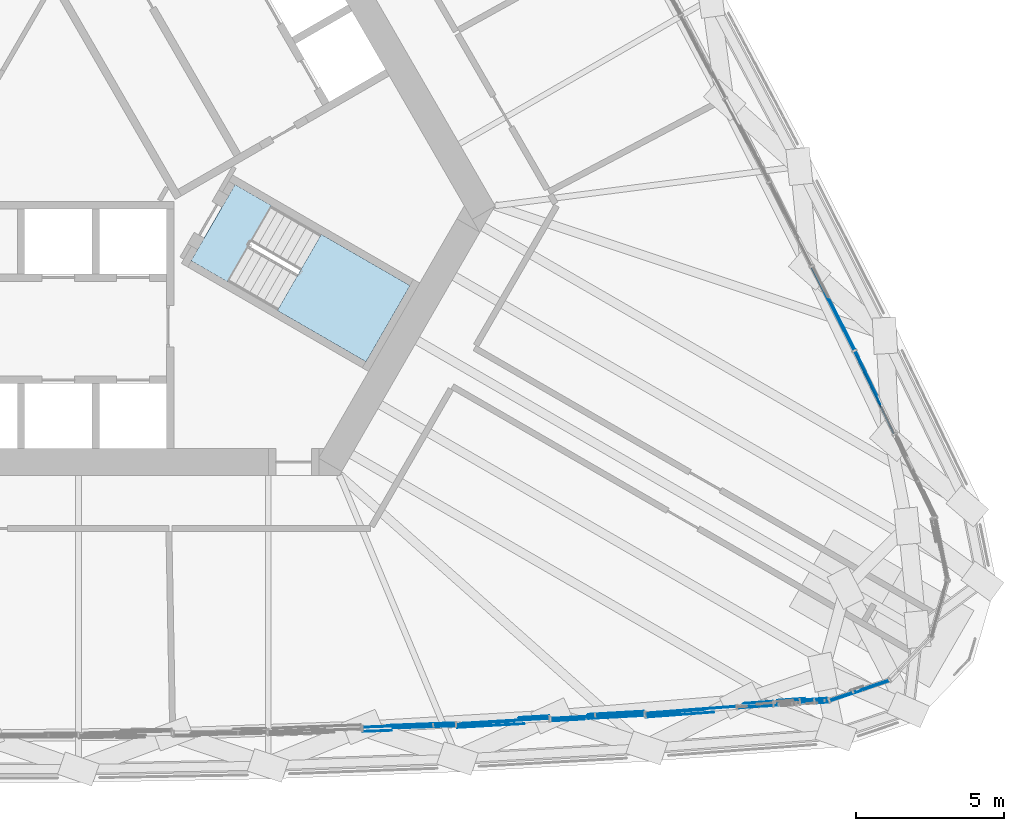
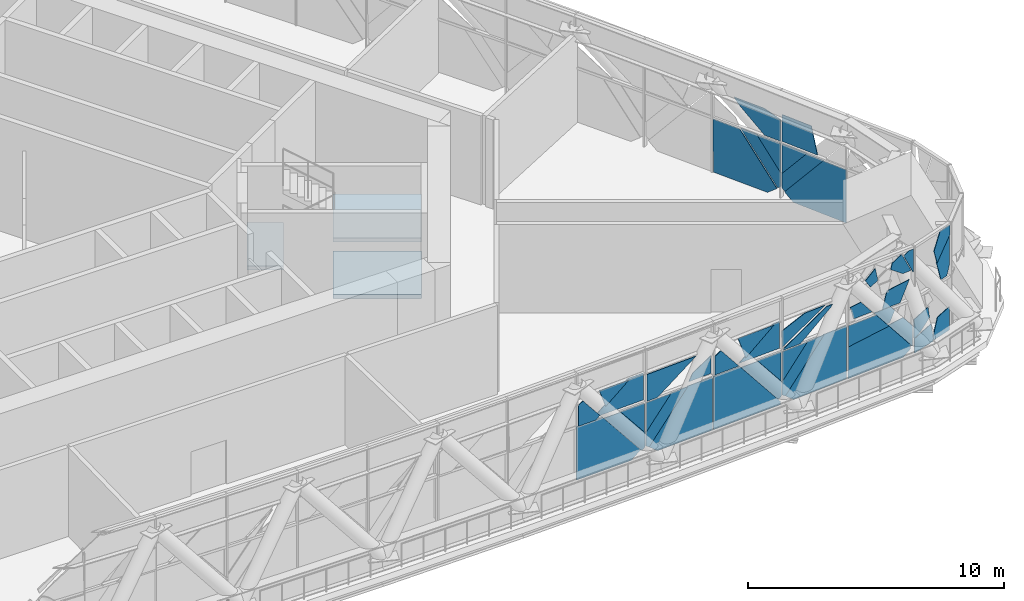
# One storey, part 15 of 43: 44 plates, 3 slabs, 4 elements without a shape of their own.
"""IFC4 building model written with IfcOpenShell, lengths in metres."""

from ifc_helpers import new_model, si_unit, direction, frame, origin, place, context, subcontext, project, spatial, polyline, outline, extrude, material, layer, layer_set, type_object, element, aggregate, save


model = new_model("IFC4")

# Units and contexts
model_context = context("Model", 3, precision=1e-05, world=origin(), true_north=direction((0.0, 1.0)))
body_context = subcontext(model_context, "Body", "Model", "MODEL_VIEW")
ifc_project = project(units=[si_unit("LENGTHUNIT", "METRE"), si_unit("AREAUNIT", "SQUARE_METRE"), si_unit("VOLUMEUNIT", "CUBIC_METRE"), si_unit("PLANEANGLEUNIT", "RADIAN"), si_unit("MASSUNIT", "GRAM", prefix="KILO")], contexts=[model_context])

# Site, building, storey
site_placement = place(None, origin())
site = spatial("IfcSite", under=ifc_project, at=site_placement, CompositionType="ELEMENT")
building_placement = place(site_placement, origin())
building = spatial("IfcBuilding", under=site, at=building_placement, Name="Mestral Congress Tower", CompositionType="ELEMENT")
storey_placement = place(building_placement, frame((0.0, 0.0, 78.300048828125)))
storey = spatial("IfcBuildingStorey", under=building, at=storey_placement, Name="L18", CompositionType="ELEMENT", Elevation=78.300048828125)

# Stair, slabs
ifc_material_1 = material(Name="Concrete C60/75", Category="concrete")
stair_type = type_object("IfcStairType", Name="Exit stair 1400", PredefinedType="HALF_TURN_STAIR", material=ifc_material_1)
placement = place(storey_placement, origin())
stair = element("IfcStair", 1, at=placement, inside=storey, type_object=stair_type, Name="L18 ST1", PredefinedType="HALF_TURN_STAIR")
ifc_layer_1 = layer(ifc_material_1, 0.199951171875)
ifc_layer_set_1 = layer_set([ifc_layer_1], Name="Concrete C60/75")
slab_type = type_object("IfcSlabType", Name="Exit stair landing 200", PredefinedType="LANDING", material=ifc_layer_set_1)
slab_1_placement = place(storey_placement, frame((0.0, 0.0, 1.14990234375)))
slab_1 = element("IfcSlab", 2, at=slab_1_placement, type_object=slab_type, Name="ST1 landing 1", PredefinedType="LANDING", context=body_context, shape_type="SweptSolid", body=[
    extrude(outline(polyline([(9.90966796875, -7.43603515625), (11.39453125, -4.864013671875), (14.39111328125, -6.593994140625), (12.906005859375, -9.166015625), (9.90966796875, -7.43603515625)])), origin(), (0.0, 0.0, 1.0), 0.199951171875),
])
slab_2_placement = place(storey_placement, frame((0.0, 0.0, 2.5)))
slab_2 = element("IfcSlab", 3, at=slab_2_placement, type_object=slab_type, Name="ST1 landing 2", PredefinedType="LANDING", context=body_context, shape_type="SweptSolid", body=[
    extrude(outline(polyline([(6.999755859375, -5.756103515625), (8.48486328125, -3.18408203125), (9.714599609375, -3.89404296875), (8.2294921875, -6.466064453125), (6.999755859375, -5.756103515625)])), origin(), (0.0, 0.0, 1.0), 0.199951171875),
])
slab_3_placement = place(storey_placement, frame((0.0, 0.0, 3.849853515625)))
slab_3 = element("IfcSlab", 4, at=slab_3_placement, type_object=slab_type, Name="ST1 landing 3", PredefinedType="LANDING", context=body_context, shape_type="SweptSolid", body=[
    extrude(outline(polyline([(9.90966796875, -7.43603515625), (11.39453125, -4.864013671875), (14.39111328125, -6.593994140625), (12.906005859375, -9.166015625), (9.90966796875, -7.43603515625)])), origin(), (0.0, 0.0, 1.0), 0.2001953125),
])
aggregate(stair, [slab_1, slab_2, slab_3])

# Curtain wall, plates
ifc_material_2 = material(Name="Clear low-emissivity double glazing", Category="glass")
curtain_wall_type = type_object("IfcCurtainWallType", Name="Facade refuge band screen", PredefinedType="USERDEFINED", material=ifc_material_2)
curtain_wall_1 = element("IfcCurtainWall", 5, at=placement, inside=storey, type_object=curtain_wall_type, Name="Facade refuge band screen face 1", ObjectType="CURTAIN WALL", PredefinedType="USERDEFINED")
ifc_material_3 = material(Name="Anodised aluminium", Category="aluminium")
ifc_layer_2 = layer(ifc_material_3, 0.028076171875)
ifc_layer_set_2 = layer_set([ifc_layer_2], Name="Anodised aluminium")
plate_type_1 = type_object("IfcPlateType", Name="Facade refuge band screen brace cover panel", PredefinedType="CURTAIN_PANEL", material=ifc_layer_set_2)
plate_1_placement = place(storey_placement, frame((15.91357421875, -21.474853515625, 0.4775390625), z_axis=(0.036960246164, -0.999314709663, 0.002012772818), x_axis=(-0.780280972633, -0.030117402348, -0.62470356636)))
plate_1 = element("IfcPlate", 6, at=plate_1_placement, type_object=plate_type_1, Name="Facade refuge band screen brace cover panel", PredefinedType="CURTAIN_PANEL", context=body_context, shape_type="SweptSolid", body=[
    extrude(outline(polyline([(0.0, 0.0), (0.2008766974116323, -1.3877787807814457e-17), (0.19961864134186658, -2.801019910232718), (-0.41808979622275666, -2.3068399891198217), (-0.417326577630618, -0.5215581560071311), (0.0, 0.0)])), origin(), (0.0, 0.0, -1.0), 0.028076171875),
])
plate_2_placement = place(storey_placement, frame((15.909912109375, -21.37255859375, 2.659912109375), z_axis=(0.036976212247, -0.999314012019, 0.002065214555), x_axis=(-0.999316143122, -0.036976291003, 4.7271e-08)))
plate_2 = element("IfcPlate", 7, at=plate_2_placement, type_object=plate_type_1, Name="Facade refuge band screen brace cover panel", PredefinedType="CURTAIN_PANEL", context=body_context, shape_type="SweptSolid", body=[
    extrude(outline(polyline([(0.0, 0.0), (2.3255629933614888, 5.421010862427522e-20), (0.738200253264267, -1.2780788625564228), (0.00014473252133818232, -1.2780790073779977), (0.0, 0.0)])), origin(), (0.0, 0.0, -1.0), 0.028076171875),
])
plate_3_placement = place(storey_placement, frame((15.175537109375, -21.4931640625, 3.93798828125), z_axis=(0.037018165238, -0.999312489466, 0.00205032683), x_axis=(-0.778379053506, -0.030120574372, -0.627071606807)))
plate_3 = element("IfcPlate", 8, at=plate_3_placement, type_object=plate_type_1, Name="Facade refuge band screen brace cover panel", PredefinedType="CURTAIN_PANEL", context=body_context, shape_type="SweptSolid", body=[
    extrude(outline(polyline([(0.0, 0.0), (1.3860309023171307, -1.1102230246251565e-16), (1.0685701818610376, -0.8602122722401847), (0.0, 0.0)])), origin(), (0.0, 0.0, -1.0), 0.028076171875),
])
plate_4_placement = place(storey_placement, frame((13.00537109375, -21.65185546875, 3.784912109375), z_axis=(0.036867162493, -0.999318149304, 0.002012163139), x_axis=(0.624004024649, 0.021448127798, -0.781126721497)))
plate_4 = element("IfcPlate", 9, at=plate_4_placement, type_object=plate_type_1, Name="Facade refuge band screen brace cover panel", PredefinedType="CURTAIN_PANEL", context=body_context, shape_type="SweptSolid", body=[
    extrude(outline(polyline([(0.0, 0.0), (1.2445709720373925, 1.1102230246251565e-16), (1.2454232075527665, -0.24371212507557088), (0.7435702015260245, -0.8715634834324933), (-0.03575468980943246, -0.24884307243158418), (0.0, 0.0)])), origin(), (0.0, 0.0, -1.0), 0.028076171875),
])
plate_5_placement = place(storey_placement, frame((17.9326171875, -21.31298828125, 2.5400390625), z_axis=(0.055485849073, -0.99845745054, 0.002009978584), x_axis=(-0.63597750086, -0.036894004547, -0.770825175269)))
plate_5 = element("IfcPlate", 10, at=plate_5_placement, type_object=plate_type_1, Name="Facade refuge band screen brace cover panel", PredefinedType="CURTAIN_PANEL", context=body_context, shape_type="SweptSolid", body=[
    extrude(outline(polyline([(0.0, 0.0), (2.8461026948969055, 0.0), (2.8460682230446146, -0.1954108849489682), (2.3347116626863103, -0.6179303966156733), (0.5107629233761255, -0.6180252753647626), (0.0, 0.0)])), origin(), (0.0, 0.0, -1.0), 0.028076171875),
])
plate_6_placement = place(storey_placement, frame((19.090087890625, -21.134521484375, 2.659912109375), z_axis=(0.055178037778, -0.998474425689, 0.002050705371), x_axis=(-0.998476525176, -0.055178153934, -6.4959e-08)))
plate_6 = element("IfcPlate", 11, at=plate_6_placement, type_object=plate_type_1, Name="Facade refuge band screen brace cover panel", PredefinedType="CURTAIN_PANEL", context=body_context, shape_type="SweptSolid", body=[
    extrude(outline(polyline([(0.0, 0.0), (1.039182641155857, 1.3552527156068805e-20), (0.8623585980972646, -0.3459480490669953), (-9.4353697150503e-05, -0.8481462471358958), (0.0, 0.0)])), origin(), (0.0, 0.0, -1.0), 0.028076171875),
])
plate_7_placement = place(storey_placement, frame((15.977783203125, -21.527587890625, 2.659912109375), z_axis=(0.055465017018, -0.99845862641, 0.002000808567), x_axis=(5.39087e-06, 0.002004192763, 0.999997991589)))
plate_7 = element("IfcPlate", 12, at=plate_7_placement, type_object=plate_type_1, Name="Facade refuge band screen brace cover panel", PredefinedType="CURTAIN_PANEL", context=body_context, shape_type="SweptSolid", body=[
    extrude(outline(polyline([(0.0, 0.0), (1.278078987326544, 0.0), (1.2783452450081314, -2.2867163336117855), (5.590463403739701e-05, -0.47754865382735384), (0.0, 0.0)])), origin(), (0.0, 0.0, -1.0), 0.028076171875),
])
plate_8_placement = place(storey_placement, frame((22.283935546875, -21.125732421875, 0.471923828125), z_axis=(0.05540046725, -0.998462318053, 0.001946190369), x_axis=(-0.782484031647, -0.044627322793, -0.621069353839)))
plate_8 = element("IfcPlate", 13, at=plate_8_placement, type_object=plate_type_1, Name="Facade refuge band screen brace cover panel", PredefinedType="CURTAIN_PANEL", context=body_context, shape_type="SweptSolid", body=[
    extrude(outline(polyline([(0.0, 0.0), (0.19812082471952275, 1.3877787807814457e-17), (0.2003958371998158, -2.797532660802916), (-0.41917427146558595, -2.306566636547216), (-0.4204911297498403, -0.5308970349211115), (0.0, 0.0)])), origin(), (0.0, 0.0, -1.0), 0.028076171875),
])
plate_9_placement = place(storey_placement, frame((22.27587890625, -20.9814453125, 2.659912109375), z_axis=(0.055427275481, -0.998460781931, 0.001970806394), x_axis=(-0.998462720979, -0.055427383261, -7.0122e-08)))
plate_9 = element("IfcPlate", 14, at=plate_9_placement, type_object=plate_type_1, Name="Facade refuge band screen brace cover panel", PredefinedType="CURTAIN_PANEL", context=body_context, shape_type="SweptSolid", body=[
    extrude(outline(polyline([(0.0, 0.0), (1.9016086939996606, -2.710505431213761e-20), (0.3184651015887202, -1.278078676287465), (0.00010835493113250878, -1.2780785206179928), (0.0, 0.0)])), origin(), (0.0, 0.0, -1.0), 0.028076171875),
])
plate_10_placement = place(storey_placement, frame((21.962646484375, -21.08642578125, 3.93798828125), z_axis=(0.05548599819, -0.998457464808, 0.001998743055), x_axis=(-0.776818859582, -0.044426619954, -0.628155024526)))
plate_10 = element("IfcPlate", 15, at=plate_10_placement, type_object=plate_type_1, Name="Facade refuge band screen brace cover panel", PredefinedType="CURTAIN_PANEL", context=body_context, shape_type="SweptSolid", body=[
    extrude(outline(polyline([(0.0, 0.0), (1.6980687075295804, 0.0), (1.3078183128879426, -1.055812621922065), (0.0, 0.0)])), origin(), (0.0, 0.0, -1.0), 0.028076171875),
])
plate_11_placement = place(storey_placement, frame((19.450439453125, -21.28857421875, 3.712646484375), z_axis=(0.055365087756, -0.998464022266, 0.002074439275), x_axis=(0.620744364742, 0.032792971386, -0.783326914301)))
plate_11 = element("IfcPlate", 16, at=plate_11_placement, type_object=plate_type_1, Name="Facade refuge band screen brace cover panel", PredefinedType="CURTAIN_PANEL", context=body_context, shape_type="SweptSolid", body=[
    extrude(outline(polyline([(0.0, 0.0), (1.343926923000805, 0.0), (0.6435399519539668, -0.8826037201361827), (-0.04811803272752152, -0.333602751570633), (0.0, 0.0)])), origin(), (0.0, 0.0, -1.0), 0.028076171875),
])
plate_12_placement = place(storey_placement, frame((24.312744140625, -20.921630859375, 2.5400390625), z_axis=(0.073982402212, -0.997257622723, 0.001959102768), x_axis=(-0.637882355783, -0.048831719302, -0.768584129013)))
plate_12 = element("IfcPlate", 17, at=plate_12_placement, type_object=plate_type_1, Name="Facade refuge band screen brace cover panel", PredefinedType="CURTAIN_PANEL", context=body_context, shape_type="SweptSolid", body=[
    extrude(outline(polyline([(0.0, 0.0), (2.861707162087099, 2.220446049250313e-16), (2.8615387489769466, -0.19060788045722998), (2.346575897334364, -0.6191060762317351), (0.5154262139626331, -0.6192280133480507), (0.0, 0.0)])), origin(), (0.0, 0.0, -1.0), 0.028076171875),
])
plate_13_placement = place(storey_placement, frame((24.373779296875, -20.914306640625, 3.93798828125), z_axis=(0.073993388692, -0.997257118429, 0.001793926566), x_axis=(-0.85698524735, -0.064505386135, -0.511287923762)))
plate_13 = element("IfcPlate", 18, at=plate_13_placement, type_object=plate_type_1, Name="Facade refuge band screen brace cover panel", PredefinedType="CURTAIN_PANEL", context=body_context, shape_type="SweptSolid", body=[
    extrude(outline(polyline([(0.0, 0.0), (2.3722264250575473, 0.0), (1.9714399827744267, -0.6734571928941269), (0.8188546482612772, -0.4871616091561835), (0.0, 0.0)])), origin(), (0.0, 0.0, -1.0), 0.028076171875),
])
plate_14_placement = place(storey_placement, frame((24.551513671875, -21.013916015625, 3.81201171875), z_axis=(0.073938370527, -0.997261175509, 0.001806982398), x_axis=(-0.773505842974, -0.058492319994, -0.631084272808)))
plate_14 = element("IfcPlate", 19, at=plate_14_placement, type_object=plate_type_1, Name="Facade refuge band screen brace cover panel", PredefinedType="CURTAIN_PANEL", context=body_context, shape_type="SweptSolid", body=[
    extrude(outline(polyline([(0.0, 0.0), (1.8255873102989328, 0.0), (2.4401144256953615, -0.49995136952885777), (2.399165696448077, -0.5506702688805414), (0.05227006500361091, -0.2049260181817165), (-0.16270111886517213, -0.030035245126646404), (0.0, 0.0)])), origin(), (0.0, 0.0, -1.0), 0.028076171875),
])
plate_15_placement = place(storey_placement, frame((28.48828125, -20.586669921875, 0.343994140625), z_axis=(0.073721481104, -0.997277037511, 0.001911459355), x_axis=(-0.617214226154, -0.044120524951, 0.785557113335)))
plate_15 = element("IfcPlate", 20, at=plate_15_placement, type_object=plate_type_1, Name="Facade refuge band screen brace cover panel", PredefinedType="CURTAIN_PANEL", context=body_context, shape_type="SweptSolid", body=[
    extrude(outline(polyline([(0.0, 0.0), (1.8258712602547922, 0.0), (1.4511900565715483, -0.6204617082341075), (0.7576219215543404, -0.6203249298605973), (-9.662484702119278e-06, -0.02368532459918961), (0.0, 0.0)])), origin(), (0.0, 0.0, -1.0), 0.028076171875),
])
plate_16_placement = place(storey_placement, frame((27.543212890625, -20.555908203125, 2.5400390625), z_axis=(0.073895286757, -0.997263740726, 0.002125565562), x_axis=(0.617153426511, 0.044055414015, -0.785608533967)))
plate_16 = element("IfcPlate", 21, at=plate_16_placement, type_object=plate_type_1, Name="Facade refuge band screen brace cover panel", PredefinedType="CURTAIN_PANEL", context=body_context, shape_type="SweptSolid", body=[
    extrude(outline(polyline([(0.0, 0.0), (0.31014470372765596, 2.7755575615628914e-17), (0.5583598642538724, -0.49255852849241155), (0.48110408382857667, -0.620246860067255), (-0.4886392084649968, -0.6204405442097355), (0.0, 0.0)])), origin(), (0.0, 0.0, -1.0), 0.028076171875),
])
plate_17_placement = place(storey_placement, frame((27.07861328125, -20.716552734375, 2.659912109375), z_axis=(0.07392487898, -0.997261764014, 0.002021460477), x_axis=(0.251977517946, 0.02063971314, 0.967512962544)))
plate_17 = element("IfcPlate", 22, at=plate_17_placement, type_object=plate_type_1, Name="Facade refuge band screen brace cover panel", PredefinedType="CURTAIN_PANEL", context=body_context, shape_type="SweptSolid", body=[
    extrude(outline(polyline([(0.0, 0.0), (0.833221007733076, 5.551115123125783e-17), (1.2307183243306987, -0.9968431117864863), (0.2116047317582189, -0.809809107474747), (0.0, 0.0)])), origin(), (0.0, 0.0, -1.0), 0.028076171875),
])
plate_18_placement = place(storey_placement, frame((26.1279296875, -20.677490234375, 3.322265625), z_axis=(0.07397944634, -0.997257873058, 0.001943230214), x_axis=(0.617281749943, 0.044261131898, -0.785496144733)))
plate_18 = element("IfcPlate", 23, at=plate_18_placement, type_object=plate_type_1, Name="Facade refuge band screen brace cover panel", PredefinedType="CURTAIN_PANEL", context=body_context, shape_type="SweptSolid", body=[
    extrude(outline(polyline([(0.0, 0.0), (0.8432294152147255, -5.551115123125783e-17), (0.3002335038666112, -0.6892008600723355), (-0.260587054658484, -0.43174313295188804), (0.0, 0.0)])), origin(), (0.0, 0.0, -1.0), 0.028076171875),
])
plate_19_placement = place(storey_placement, frame((28.304931640625, -20.68701171875, 5.030029296875), z_axis=(0.074130587639, -0.997246151162, 0.002184026052), x_axis=(0.997248529755, 0.074130762177, -1.038958e-06)))
plate_19 = element("IfcPlate", 24, at=plate_19_placement, type_object=plate_type_1, Name="Facade refuge band screen brace cover panel", PredefinedType="CURTAIN_PANEL", context=body_context, shape_type="SweptSolid", body=[
    extrude(outline(polyline([(0.0, 0.0), (0.20881914890086398, 0.0), (0.20890086738915037, -1.0920432362448549), (0.17779933640755344, -1.092043566024062), (-0.26270791529500503, -0.15112361780961825), (0.0, 0.0)])), origin(), (0.0, 0.0, -1.0), 0.028076171875),
])
plate_20_placement = place(storey_placement, frame((28.03271484375, -20.569091796875, 4.87890625), z_axis=(0.073984803638, -0.997257109479, 0.002122833892), x_axis=(0.423171812237, 0.02946673241, -0.90557016791)))
plate_20 = element("IfcPlate", 25, at=plate_20_placement, type_object=plate_type_1, Name="Facade refuge band screen brace cover panel", PredefinedType="CURTAIN_PANEL", context=body_context, shape_type="SweptSolid", body=[
    extrude(outline(polyline([(0.0, 0.0), (1.039033984989373, 0.0), (0.8703896903207974, -0.36002396395232383), (0.2595150584474777, -0.6972159050890951), (0.04347605904082283, -0.5178389093440409), (0.0, 0.0)])), origin(), (0.0, 0.0, -1.0), 0.028076171875),
])
plate_21_placement = place(storey_placement, frame((26.836181640625, -20.773681640625, 4.18359375), z_axis=(0.073831541522, -0.997268293884, 0.002203063821), x_axis=(-0.864507455873, -0.065103738033, -0.498385756251)))
plate_21 = element("IfcPlate", 26, at=plate_21_placement, type_object=plate_type_1, Name="Facade refuge band screen brace cover panel", PredefinedType="CURTAIN_PANEL", context=body_context, shape_type="SweptSolid", body=[
    extrude(outline(polyline([(0.0, 0.0), (0.3987479320099331, 0.0), (0.41384717266771526, -0.46629260934800776), (-0.2002215396786699, -0.5858205397832241), (0.0, 0.0)])), origin(), (0.0, 0.0, -1.0), 0.028076171875),
])

curtain_wall_2 = element("IfcCurtainWall", 27, at=placement, inside=storey, type_object=curtain_wall_type, Name="Facade refuge band screen face 2", ObjectType="CURTAIN WALL", PredefinedType="USERDEFINED")
plate_22_placement = place(storey_placement, frame((29.41943359375, -8.812255859375, 0.462646484375), z_axis=(0.90054220722, 0.434763510688, 0.002103042862), x_axis=(0.335048475199, -0.690899822269, -0.640624659887)))
plate_22 = element("IfcPlate", 28, at=plate_22_placement, type_object=plate_type_1, Name="Facade refuge band screen brace cover panel", PredefinedType="CURTAIN_PANEL", context=body_context, shape_type="SweptSolid", body=[
    extrude(outline(polyline([(0.0, 0.0), (0.1905493248654027, -1.3877787807814457e-17), (0.1873850773861372, -2.8617989298085034), (-0.431472279429131, -2.345480961503904), (-0.42939651711976623, -0.5145316691446002), (0.0, 0.0)])), origin(), (0.0, 0.0, -1.0), 0.028076171875),
])
plate_23_placement = place(storey_placement, frame((29.440185546875, -8.80224609375, 3.93798828125), z_axis=(0.900574793228, 0.434696671444, 0.001961029902), x_axis=(0.00171701564, 0.000954056337, -0.999998070815)))
plate_23 = element("IfcPlate", 29, at=plate_23_placement, type_object=plate_type_1, Name="Facade refuge band screen brace cover panel", PredefinedType="CURTAIN_PANEL", context=body_context, shape_type="SweptSolid", body=[
    extrude(outline(polyline([(0.0, 0.0), (1.2780786435886644, 2.710505431213761e-19), (1.2778905134382472, -1.6674958643019187), (-0.0001554848727335161, -1.3782418699780963), (0.0, 0.0)])), origin(), (0.0, 0.0, -1.0), 0.028076171875),
])
plate_24_placement = place(storey_placement, frame((28.564453125, -7.05419921875, 2.5400390625), z_axis=(0.892405758194, 0.451229070789, 0.002070849304), x_axis=(0.281936642399, -0.553997405195, -0.783325350483)))
plate_24 = element("IfcPlate", 30, at=plate_24_placement, type_object=plate_type_1, Name="Facade refuge band screen brace cover panel", PredefinedType="CURTAIN_PANEL", context=body_context, shape_type="SweptSolid", body=[
    extrude(outline(polyline([(0.0, 0.0), (2.797568643971748, 2.220446049250313e-16), (2.7976367839346583, -0.19842816668622598), (2.2672503373302026, -0.6191698710756237), (0.4913105317758149, -0.6191290844743057), (0.0, 0.0)])), origin(), (0.0, 0.0, -1.0), 0.028076171875),
])
plate_25_placement = place(storey_placement, frame((29.0390625, -8.07421875, 3.93798828125), z_axis=(0.8923965509, 0.451247524991, 0.002016713112), x_axis=(-0.451248441971, 0.892398365988, -3.68813e-07)))
plate_25 = element("IfcPlate", 31, at=plate_25_placement, type_object=plate_type_1, Name="Facade refuge band screen brace cover panel", PredefinedType="CURTAIN_PANEL", context=body_context, shape_type="SweptSolid", body=[
    extrude(outline(polyline([(0.0, 0.0), (1.4109852197231711, -2.168404344971009e-19), (1.2028787069944231, -0.25195343627802747), (-0.02730732923616275, -1.2780788389993856), (-0.7698691642260215, -1.2780793958180767), (-0.7698596814698525, -0.25024505095967753), (0.0, 0.0)])), origin(), (0.0, 0.0, -1.0), 0.028076171875),
])

curtain_wall_3 = element("IfcCurtainWall", 32, at=placement, inside=storey, type_object=curtain_wall_type, Name="Facade refuge band screen corner 1", ObjectType="CURTAIN WALL", PredefinedType="USERDEFINED")
plate_26_placement = place(storey_placement, frame((29.581298828125, -20.26416015625, 0.0), z_axis=(0.318570659142, -0.947897099967, 0.001955251431), x_axis=(0.296713732491, 0.101678626169, 0.949538002363)))
plate_26 = element("IfcPlate", 33, at=plate_26_placement, type_object=plate_type_1, Name="Facade refuge band screen brace cover panel", PredefinedType="CURTAIN_PANEL", context=body_context, shape_type="SweptSolid", body=[
    extrude(outline(polyline([(0.0, 0.0), (1.022032985814211, -5.551115123125783e-17), (1.3776922279121078, -0.6252610687455815), (0.32176720628724753, -0.9741240099146335), (0.0, 0.0)])), origin(), (0.0, 0.0, -1.0), 0.028076171875),
])
plate_27_placement = place(storey_placement, frame((29.62939453125, -20.279296875, 0.123779296875), z_axis=(0.31860292238, -0.947886166256, 0.001998417305), x_axis=(-0.295898560389, -0.101459729797, -0.949815753286)))
plate_27 = element("IfcPlate", 34, at=plate_27_placement, type_object=plate_type_1, Name="Facade refuge band screen brace cover panel", PredefinedType="CURTAIN_PANEL", context=body_context, shape_type="SweptSolid", body=[
    extrude(outline(polyline([(0.0, 0.0), (0.13031918575835724, 0.0), (0.4632968016702646, -1.0110738862268254), (-0.19431867143664855, -1.2277246929814754), (-0.6854517861384919, -0.36237320057601347), (0.0, 0.0)])), origin(), (0.0, 0.0, -1.0), 0.028076171875),
])
plate_28_placement = place(storey_placement, frame((28.571044921875, -20.60009765625, 1.58740234375), z_axis=(0.318432400543, -0.947943268166, 0.002089646535), x_axis=(0.929280656744, 0.312597041668, 0.196775380935)))
plate_28 = element("IfcPlate", 35, at=plate_28_placement, type_object=plate_type_1, Name="Facade refuge band screen brace cover panel", PredefinedType="CURTAIN_PANEL", context=body_context, shape_type="SweptSolid", body=[
    extrude(outline(polyline([(0.0, 0.0), (0.8449220277318765, 2.7755575615628914e-17), (0.8282937636806184, -0.5571836279737516), (0.0965019796297211, -0.8774551248992948), (-0.1759714071845404, -0.8775519824784901), (0.0, 0.0)])), origin(), (0.0, 0.0, -1.0), 0.028076171875),
])
plate_29_placement = place(storey_placement, frame((30.55078125, -19.9287109375, 4.563232421875), z_axis=(0.318574022206, -0.94789594716, 0.001966146533), x_axis=(0.000671983814, -0.001848373916, -0.999998065974)))
plate_29 = element("IfcPlate", 36, at=plate_29_placement, type_object=plate_type_1, Name="Facade refuge band screen brace cover panel", PredefinedType="CURTAIN_PANEL", context=body_context, shape_type="SweptSolid", body=[
    extrude(outline(polyline([(0.0, 0.0), (1.4572781923454052, 8.131516293641283e-20), (1.9033170217068094, -0.147406784278316), (1.9033000062006362, -0.49714194480991614), (0.9633444967371072, -0.7545685416350358), (0.0, 0.0)])), origin(), (0.0, 0.0, -1.0), 0.028076171875),
])
plate_30_placement = place(storey_placement, frame((29.845947265625, -20.19921875, 3.599853515625), z_axis=(0.318342398523, -0.947973571915, 0.002055298793), x_axis=(-0.251172995326, -0.082256301342, 0.96444078476)))
plate_30 = element("IfcPlate", 37, at=plate_30_placement, type_object=plate_type_1, Name="Facade refuge band screen brace cover panel", PredefinedType="CURTAIN_PANEL", context=body_context, shape_type="SweptSolid", body=[
    extrude(outline(polyline([(0.0, 0.0), (0.6812058385058654, -2.7755575615628914e-17), (1.331067646504749, -0.5540865982183254), (1.179972677236231, -1.1054557085400707), (0.7297736575701277, -0.9820834015165085), (0.0, 0.0)])), origin(), (0.0, 0.0, -1.0), 0.028076171875),
])
aggregate(curtain_wall_3, [plate_26, plate_27, plate_28, plate_29, plate_30])

# Plate
ifc_layer_3 = layer(ifc_material_2, 0.028076171875)
ifc_layer_set_3 = layer_set([ifc_layer_3], Name="Clear low-emissivity double glazing")
plate_type_2 = type_object("IfcPlateType", Name="Facade refuge band screen panel", PredefinedType="CURTAIN_PANEL", material=ifc_layer_set_3)
plate_31_placement = place(storey_placement, frame((15.911865234375, -21.4287109375, 2.5400390625), z_axis=(0.037011591974, -0.999312983285, 0.001924447272), x_axis=(0.0, -0.001925766737, -0.99999814571)))
plate_31 = element("IfcPlate", 38, at=plate_31_placement, type_object=plate_type_2, Name="Refuge screen glass unit", PredefinedType="CURTAIN_PANEL", context=body_context, shape_type="SweptSolid", body=[
    extrude(outline(polyline([(0.0, 0.0), (1.394533835870819, -1.3552527156068805e-20), (7.94566842247028e-05, -1.1147774769300307), (0.0, 0.0)])), origin(), (0.0, 0.0, -1.0), 0.028076171875),
])

plate_32_placement = place(storey_placement, frame((15.31396484375, -21.42578125, 0.0), z_axis=(0.036949762894, -0.9993151803, 0.001971152975), x_axis=(-0.9993171217, -0.036949834599, 3.9843e-08)))
plate_32 = element("IfcPlate", 39, at=plate_32_placement, type_object=plate_type_2, Name="Refuge screen glass unit", PredefinedType="CURTAIN_PANEL", context=body_context, shape_type="SweptSolid", body=[
    extrude(outline(polyline([(0.0, 0.0), (2.5320005947148294, 2.710505431213761e-20), (2.532064250708862, -2.540043763882364), (1.3083210544609258, -2.5400441934256093), (-0.44050738563471215, -0.3520512372702809), (0.0, 0.0)])), origin(), (0.0, 0.0, -1.0), 0.028076171875),
])

plate_33_placement = place(storey_placement, frame((15.9736328125, -21.451904296875, 2.5400390625), z_axis=(0.055469917727, -0.998458519083, 0.001916741384), x_axis=(0.998460353205, 0.055470019623, 0.0)))
plate_33 = element("IfcPlate", 40, at=plate_33_placement, type_object=plate_type_2, Name="Refuge screen glass unit", PredefinedType="CURTAIN_PANEL", context=body_context, shape_type="SweptSolid", body=[
    extrude(outline(polyline([(0.0, 0.0), (1.16194523525695, 0.0), (9.479739681583505e-05, -1.4060084421428445), (0.0, 0.0)])), origin(), (0.0, 0.0, -1.0), 0.028076171875),
])

plate_34_placement = place(storey_placement, frame((19.0947265625, -21.218505859375, 2.5400390625), z_axis=(0.055478910406, -0.998457965981, 0.001944394335), x_axis=(9.7209001e-05, -0.001941992228, -0.999998109607)))
plate_34 = element("IfcPlate", 41, at=plate_34_placement, type_object=plate_type_2, Name="Refuge screen glass unit", PredefinedType="CURTAIN_PANEL", context=body_context, shape_type="SweptSolid", body=[
    extrude(outline(polyline([(0.0, 0.0), (2.540043766943288, 3.3881317890172014e-21), (2.5400712707640367, -2.559610969663548), (2.1938834601279282, -2.978673323930512), (1.2507966462518109e-05, -1.1656152490138667), (0.0, 0.0)])), origin(), (0.0, 0.0, -1.0), 0.028076171875),
])

plate_35_placement = place(storey_placement, frame((19.15478515625, -21.217041015625, 2.5400390625), z_axis=(0.055426817174, -0.998460804184, 0.001972421161), x_axis=(0.998462746433, 0.055426924734, -1.3119e-07)))
plate_35 = element("IfcPlate", 42, at=plate_35_placement, type_object=plate_type_2, Name="Refuge screen glass unit", PredefinedType="CURTAIN_PANEL", context=body_context, shape_type="SweptSolid", body=[
    extrude(outline(polyline([(0.0, 0.0), (1.2348038106474932, -2.710505431213761e-20), (3.129303217553123, -2.386723073205993), (3.1292897057031226, -2.5400435682732105), (-4.0072699053425537e-05, -2.540044245215112), (0.0, 0.0)])), origin(), (0.0, 0.0, -1.0), 0.028076171875),
])

plate_36_placement = place(storey_placement, frame((22.281005859375, -21.07373046875, 2.5400390625), z_axis=(0.055506660109, -0.998456455754, 0.001927860455), x_axis=(0.0, -0.001930837194, -0.999998135932)))
plate_36 = element("IfcPlate", 43, at=plate_36_placement, type_object=plate_type_2, Name="Refuge screen glass unit", PredefinedType="CURTAIN_PANEL", context=body_context, shape_type="SweptSolid", body=[
    extrude(outline(polyline([(0.0, 0.0), (1.390871733304313, 0.0), (0.00011832034563955518, -1.1039969352390442), (0.0, 0.0)])), origin(), (0.0, 0.0, -1.0), 0.028076171875),
])

plate_37_placement = place(storey_placement, frame((22.34326171875, -21.09765625, 2.5400390625), z_axis=(0.073986677146, -0.997257042664, 0.002088650683), x_axis=(0.997259217919, 0.073986838529, 0.0)))
plate_37 = element("IfcPlate", 44, at=plate_37_placement, type_object=plate_type_2, Name="Refuge screen glass unit", PredefinedType="CURTAIN_PANEL", context=body_context, shape_type="SweptSolid", body=[
    extrude(outline(polyline([(0.0, 0.0), (1.1714235071827084, 0.0), (2.6713172746839335e-05, -1.4074737731535463), (0.0, 0.0)])), origin(), (0.0, 0.0, -1.0), 0.028076171875),
])

plate_38_placement = place(storey_placement, frame((25.392578125, -20.8115234375, 2.5400390625), z_axis=(0.073942393248, -0.997260509382, 0.00199972708), x_axis=(0.000190206453, -0.001991113396, -0.999997999642)))
plate_38 = element("IfcPlate", 45, at=plate_38_placement, type_object=plate_type_2, Name="Refuge screen glass unit", PredefinedType="CURTAIN_PANEL", context=body_context, shape_type="SweptSolid", body=[
    extrude(outline(polyline([(0.0, 0.0), (2.540044282733038, -1.0842021724855044e-19), (2.539937771794541, -2.5066145389084813), (2.1993434578371063, -2.9158700864796083), (-4.587858694915506e-05, -1.0850084245502631), (0.0, 0.0)])), origin(), (0.0, 0.0, -1.0), 0.028076171875),
])

plate_39_placement = place(storey_placement, frame((28.38427734375, -20.624267578125, 0.479248046875), z_axis=(0.073884499048, -0.997264729073, 0.002034931901), x_axis=(0.070519980669, 0.003189201482, -0.997505268818)))
plate_39 = element("IfcPlate", 46, at=plate_39_placement, type_object=plate_type_2, Name="Refuge screen glass unit", PredefinedType="CURTAIN_PANEL", context=body_context, shape_type="SweptSolid", body=[
    extrude(outline(polyline([(0.0, 0.0), (0.20779363761507755, 0.0), (0.45472880659997844, -0.36355818212613455), (0.27079007756432194, -2.963796745943785), (-1.2654140962803107, -2.8551358944548424), (-1.368047643017972, -0.9291381284941852), (0.0, 0.0)])), origin(), (0.0, 0.0, -1.0), 0.028076171875),
])

plate_40_placement = place(storey_placement, frame((27.36572265625, -20.72705078125, 1.7783203125), z_axis=(0.073839555716, -0.997268375591, 0.001872713902), x_axis=(-0.989613130587, -0.073504742176, -0.123543128693)))
plate_40 = element("IfcPlate", 47, at=plate_40_placement, type_object=plate_type_2, Name="Refuge screen glass unit", PredefinedType="CURTAIN_PANEL", context=body_context, shape_type="SweptSolid", body=[
    extrude(outline(polyline([(0.0, 0.0), (1.9287304208345968, -2.7755575615628914e-17), (1.8050437281918286, -0.9923232392340557), (0.5014681809813623, -0.8300317280722701), (0.0, 0.0)])), origin(), (0.0, 0.0, -1.0), 0.028076171875),
])

aggregate(curtain_wall_1, [plate_31, plate_32, plate_1, plate_2, plate_3, plate_4, plate_33, plate_34, plate_5, plate_6, plate_7, plate_35, plate_36, plate_8, plate_9, plate_10, plate_11, plate_37, plate_38, plate_12, plate_13, plate_14, plate_39, plate_40, plate_15, plate_16, plate_17, plate_18, plate_19, plate_20, plate_21])

plate_41_placement = place(storey_placement, frame((29.442626953125, -8.801025390625, 2.5400390625), z_axis=(0.900549658713, 0.434748111103, 0.002095729841), x_axis=(0.001908392753, 0.000867451252, -0.99999780278)))
plate_41 = element("IfcPlate", 48, at=plate_41_placement, type_object=plate_type_2, Name="Refuge screen glass unit", PredefinedType="CURTAIN_PANEL", context=body_context, shape_type="SweptSolid", body=[
    extrude(outline(polyline([(0.0, 0.0), (1.4072296544927212, -1.6263032587282567e-19), (5.679942032817099e-05, -1.1714282632848823), (0.0, 0.0)])), origin(), (0.0, 0.0, -1.0), 0.028076171875),
])

plate_42_placement = place(storey_placement, frame((29.634765625, -9.3251953125, 0.0), z_axis=(0.90060096761, 0.434642232931, 0.002006612221), x_axis=(0.434643108062, -0.900602780705, -4.7957e-08)))
plate_42 = element("IfcPlate", 49, at=plate_42_placement, type_object=plate_type_2, Name="Refuge screen glass unit", PredefinedType="CURTAIN_PANEL", context=body_context, shape_type="SweptSolid", body=[
    extrude(outline(polyline([(0.0, 0.0), (2.506759302847423, 0.0), (2.506721877806498, -2.5400442479611742), (1.4215550282119465, -2.540044239134387), (-0.40935883178154076, -0.340576673771294), (0.0, 0.0)])), origin(), (0.0, 0.0, -1.0), 0.028076171875),
])

plate_43_placement = place(storey_placement, frame((29.392578125, -8.758056640625, 2.5400390625), z_axis=(0.892426067901, 0.451189387489, 0.001962128399), x_axis=(-0.451190256019, 0.892427785803, 0.0)))
plate_43 = element("IfcPlate", 50, at=plate_43_placement, type_object=plate_type_2, Name="Refuge screen glass unit", PredefinedType="CURTAIN_PANEL", context=body_context, shape_type="SweptSolid", body=[
    extrude(outline(polyline([(0.0, 0.0), (1.1038511323228668, 0.0), (-1.214932401821388e-05, -1.3911159591145277), (0.0, 0.0)])), origin(), (0.0, 0.0, -1.0), 0.028076171875),
])

plate_44_placement = place(storey_placement, frame((27.953857421875, -5.97900390625, 2.5400390625), z_axis=(0.892392253123, 0.451256165313, 0.001984901222), x_axis=(0.001775264445, 0.00088788831, -0.999998030043)))
plate_44 = element("IfcPlate", 51, at=plate_44_placement, type_object=plate_type_2, Name="Refuge screen glass unit", PredefinedType="CURTAIN_PANEL", context=body_context, shape_type="SweptSolid", body=[
    extrude(outline(polyline([(0.0, 0.0), (2.540043811114597, 1.6940658945086007e-19), (2.540066202866633, -2.534491556955054), (2.191436577108654, -2.9740668218397333), (1.0553132296601576e-05, -1.2348718661068832), (0.0, 0.0)])), origin(), (0.0, 0.0, -1.0), 0.028076171875),
])

aggregate(curtain_wall_2, [plate_41, plate_42, plate_22, plate_23, plate_43, plate_44, plate_24, plate_25])

save(model, "model.ifc")
